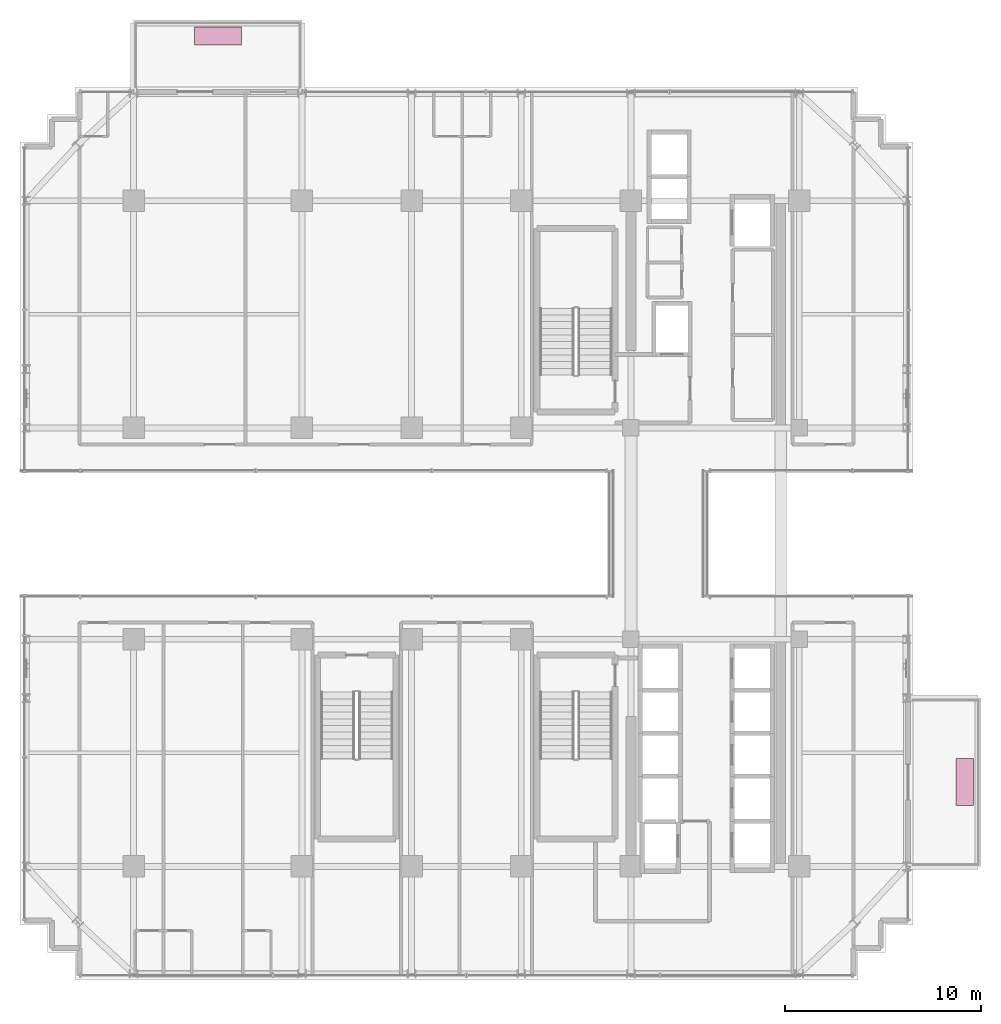
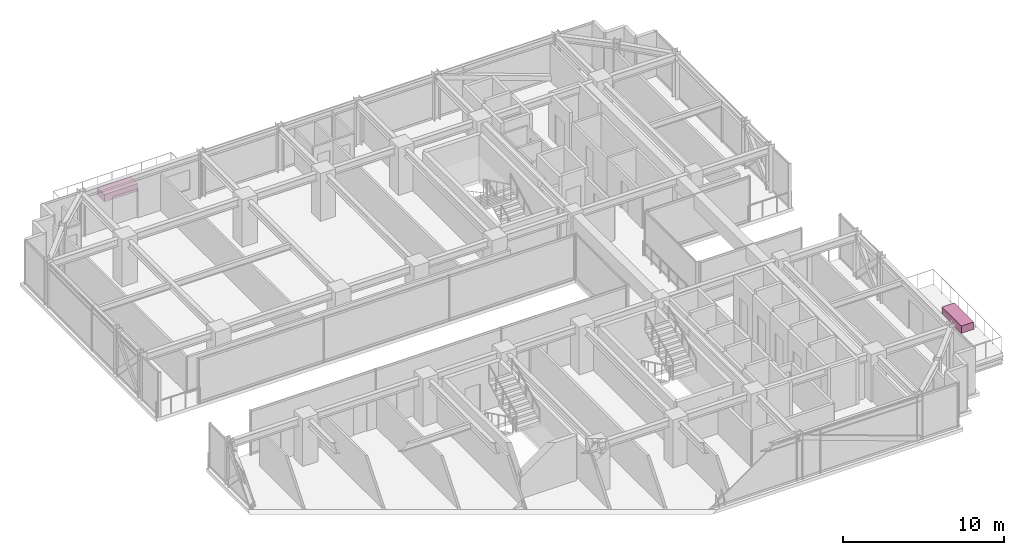
# One storey, part 36 of 36: 2 furnishings.
"""IFC4 building model written with IfcOpenShell, lengths in metres."""

import ifcopenshell
import ifcopenshell.guid

model = None  # the IFC model being written
_history = None  # IfcOwnerHistory: only IFC2X3 demands one
_inside = {}  # id of a spatial element -> (the spatial element, [elements in it])
_under = {}  # id of a project, library or spatial element -> (it, [spatial elements below it])
_declared = {}  # id of a project -> (the project, [libraries it declares])
_typed = {}  # id of a type object -> (the type object, [elements of that type])
_made_of = {}  # id of a material, layer set ... -> (it, [elements and type objects made of it])


def new_model(schema):
    """Start an empty IFC model of exactly this schema.

    Asked for "IFC4X3", IfcOpenShell would pick the latest addendum, in which some entities
    have other attributes; the version numbers below select the first issue.
    IFC2X3 requires an IfcOwnerHistory on every rooted entity: one is made here for all.
    """
    global model, _history
    if schema == "IFC4X3":
        model = ifcopenshell.file(schema_version=(4, 3, 0, 0))
    else:
        model = ifcopenshell.file(schema=schema)
    _inside.clear()
    _under.clear()
    _declared.clear()
    _typed.clear()
    _made_of.clear()
    _history = None
    if model.schema == "IFC2X3":
        org = make("IfcOrganization", Name="unknown")
        user = make(
            "IfcPersonAndOrganization",
            ThePerson=make("IfcPerson", FamilyName="unknown"),
            TheOrganization=org,
        )
        app = make(
            "IfcApplication",
            ApplicationDeveloper=org,
            Version="unknown",
            ApplicationFullName="unknown",
            ApplicationIdentifier="unknown",
        )
        _history = make(
            "IfcOwnerHistory",
            OwningUser=user,
            OwningApplication=app,
            ChangeAction="ADDED",
            CreationDate=0,
        )
    return model


def make(cls, **values):
    """One entity of the class cls with the attributes given. An attribute that is None is left unset."""
    return model.create_entity(
        cls, **{name: value for name, value in values.items() if value is not None}
    )


def rooted(cls, **values):
    """An entity with a GlobalId (a new one), such as an element, a storey or a relation."""
    return make(cls, GlobalId=ifcopenshell.guid.new(), OwnerHistory=_history, **values)


def si_unit(unit_type, name, prefix=None):
    """IfcSIUnit, for example si_unit("LENGTHUNIT", "METRE", prefix="MILLI")."""
    return make("IfcSIUnit", UnitType=unit_type, Prefix=prefix, Name=name)


def assignment(units):
    """IfcUnitAssignment: the units of a project."""
    return None if units is None else make("IfcUnitAssignment", Units=units)


def point(xyz):
    """IfcCartesianPoint."""
    return None if xyz is None else make("IfcCartesianPoint", Coordinates=xyz)


def direction(xyz):
    """IfcDirection."""
    return None if xyz is None else make("IfcDirection", DirectionRatios=xyz)


def frame(location, z_axis=None, x_axis=None):
    """IfcAxis2Placement3D, a coordinate frame: its origin and axes. An axis left out is left unset."""
    return make(
        "IfcAxis2Placement3D",
        Location=point(location),
        Axis=direction(z_axis),
        RefDirection=direction(x_axis),
    )


def frame_2d(location, x_axis=None):
    """IfcAxis2Placement2D, a coordinate frame in the plane: its origin and x axis."""
    return make(
        "IfcAxis2Placement2D", Location=point(location), RefDirection=direction(x_axis)
    )


def origin():
    """The frame at (0, 0, 0) with its axes left unset."""
    return frame((0.0, 0.0, 0.0))


def origin_2d():
    """The frame at (0, 0) in the plane with its x axis left unset."""
    return frame_2d((0.0, 0.0))


def place(relative_to, where):
    """IfcLocalPlacement: puts the frame where relative to a parent placement (None: the world)."""
    return make(
        "IfcLocalPlacement", PlacementRelTo=relative_to, RelativePlacement=where
    )


def context(
    kind, dimensions, precision=None, world=None, true_north=None, identifier=None
):
    """IfcGeometricRepresentationContext, for example the 3D "Model" context."""
    return make(
        "IfcGeometricRepresentationContext",
        ContextIdentifier=identifier,
        ContextType=kind,
        CoordinateSpaceDimension=dimensions,
        Precision=precision,
        WorldCoordinateSystem=world,
        TrueNorth=true_north,
    )


def subcontext(parent, identifier, kind, view, scale=None):
    """IfcGeometricRepresentationSubContext, for example "Body" below "Model"."""
    return make(
        "IfcGeometricRepresentationSubContext",
        ContextIdentifier=identifier,
        ContextType=kind,
        ParentContext=parent,
        TargetScale=scale,
        TargetView=view,
    )


def project(units=None, contexts=None):
    """IfcProject with its units and contexts."""
    return rooted(
        "IfcProject",
        Name="project",
        RepresentationContexts=contexts,
        UnitsInContext=assignment(units),
    )


def spatial(cls, under=None, at=None, **own):
    """A site, building, storey or space (cls), placed at a placement, below another one or the project."""
    s = rooted(cls, ObjectPlacement=at, **own)
    if under is not None:
        _under.setdefault(under.id(), (under, []))[1].append(s)
    return s


def profile(cls, at=None, kind="AREA", **sizes):
    """A parametric profile (cls). Its sizes go by their IFC names, for example OverallWidth=200.0."""
    return make(cls, ProfileType=kind, Position=at, **sizes)


def rectangle(**sizes):
    """IfcRectangleProfileDef."""
    return profile("IfcRectangleProfileDef", **sizes)


def extrude(swept, where, along, depth):
    """IfcExtrudedAreaSolid: the profile swept, set in the frame where, extruded along a direction by depth."""
    return make(
        "IfcExtrudedAreaSolid",
        SweptArea=swept,
        Position=where,
        ExtrudedDirection=direction(along),
        Depth=depth,
    )


def shape(context_of_items, identifier, shape_type, items):
    """IfcShapeRepresentation: the items that make up one representation, for example the "Body"."""
    return make(
        "IfcShapeRepresentation",
        ContextOfItems=context_of_items,
        RepresentationIdentifier=identifier,
        RepresentationType=shape_type,
        Items=items,
    )


def source(mapping_origin, context_of_items, identifier, shape_type, items):
    """IfcRepresentationMap: a shape defined once, which mapped items show again and again."""
    return make(
        "IfcRepresentationMap",
        MappingOrigin=mapping_origin,
        MappedRepresentation=shape(context_of_items, identifier, shape_type, items),
    )


def transform(
    local_origin,
    x_axis=None,
    y_axis=None,
    z_axis=None,
    scale=None,
    scale2=None,
    scale3=None,
    uniform=True,
):
    """IfcCartesianTransformationOperator3D, or its non-uniform kind. x_axis, y_axis, z_axis: its Axis1, 2, 3."""
    if uniform:
        return make(
            "IfcCartesianTransformationOperator3D",
            Axis1=direction(x_axis),
            Axis2=direction(y_axis),
            LocalOrigin=point(local_origin),
            Scale=scale,
            Axis3=direction(z_axis),
        )
    return make(
        "IfcCartesianTransformationOperator3DnonUniform",
        Axis1=direction(x_axis),
        Axis2=direction(y_axis),
        LocalOrigin=point(local_origin),
        Scale=scale,
        Axis3=direction(z_axis),
        Scale2=scale2,
        Scale3=scale3,
    )


def mapped(mapping_source, mapping_target):
    """IfcMappedItem: shows the shape of a source again, moved by a transform."""
    return make(
        "IfcMappedItem", MappingSource=mapping_source, MappingTarget=mapping_target
    )


def material(Name=None, Category=None):
    """IfcMaterial."""
    return make("IfcMaterial", Name=Name, Category=Category)


def made_of(thing, what):
    """Note that an element or type object is made of a material, layer set ...; save() writes the relation."""
    if what is not None:
        _made_of.setdefault(what.id(), (what, []))[1].append(thing)
    return thing


def type_object(cls, material=None, **own):
    """A type object (cls), such as IfcWallType, which elements share."""
    return made_of(rooted(cls, **own), material)


def element(
    cls,
    number,
    at=None,
    inside=None,
    cuts=None,
    type_object=None,
    material=None,
    context=None,
    identifier="Body",
    shape_type=None,
    held_by="IfcProductDefinitionShape",
    body=None,
    shapes=None,
    **own,
):
    """One element of the class cls, such as IfcWall. Its Tag is "e" and its number.

    at: its placement. inside: the storey or other place that contains it. cuts: it is an
    opening in that element (IfcRelVoidsElement). A single representation is given by context,
    identifier, shape_type and body (its items); several are given by shapes. held_by: the class
    of the entity that holds the representations. save() writes the other relations.
    """
    e = rooted(cls, Tag="e%d" % number, ObjectPlacement=at, **own)
    if body is not None:
        shapes = [shape(context, identifier, shape_type, body)]
    if shapes is not None:
        e.Representation = make(held_by, Representations=shapes)
    if inside is not None:
        _inside.setdefault(inside.id(), (inside, []))[1].append(e)
    if cuts is not None:
        rooted(
            "IfcRelVoidsElement", RelatingBuildingElement=cuts, RelatedOpeningElement=e
        )
    if type_object is not None:
        _typed.setdefault(type_object.id(), (type_object, []))[1].append(e)
    return made_of(e, material)


def aggregate(whole, parts):
    """IfcRelAggregates: a whole, such as a stair, and the parts it consists of."""
    return rooted("IfcRelAggregates", RelatingObject=whole, RelatedObjects=parts)


def save(model, path):
    """Write the relations noted so far, then the file.

    IfcRelAggregates (storeys below a building ...), IfcRelContainedInSpatialStructure (elements
    in a storey), IfcRelDefinesByType, IfcRelAssociatesMaterial and IfcRelDeclares: one each for
    every whole, place, type object, material and project.
    """
    for whole, parts in _under.values():
        aggregate(whole, parts)
    for where, things in _inside.values():
        rooted(
            "IfcRelContainedInSpatialStructure",
            RelatedElements=things,
            RelatingStructure=where,
        )
    for kind, things in _typed.values():
        rooted("IfcRelDefinesByType", RelatedObjects=things, RelatingType=kind)
    for what, things in _made_of.values():
        rooted("IfcRelAssociatesMaterial", RelatedObjects=things, RelatingMaterial=what)
    for by, libraries in _declared.values():
        rooted("IfcRelDeclares", RelatingContext=by, RelatedDefinitions=libraries)
    model.write(path)


model = new_model("IFC4")

# Units and contexts
model_context = context("Model", 3, precision=1e-05, world=origin(), true_north=direction((0.0, 1.0)))
body_context = subcontext(model_context, "Body", "Model", "MODEL_VIEW")
ifc_project = project(units=[si_unit("LENGTHUNIT", "METRE"), si_unit("AREAUNIT", "SQUARE_METRE"), si_unit("VOLUMEUNIT", "CUBIC_METRE"), si_unit("PLANEANGLEUNIT", "RADIAN"), si_unit("MASSUNIT", "GRAM", prefix="KILO")], contexts=[model_context])

# Site, building, storey
site_placement = place(None, origin())
site = spatial("IfcSite", under=ifc_project, at=site_placement, CompositionType="ELEMENT")
building_placement = place(site_placement, origin())
building = spatial("IfcBuilding", under=site, at=building_placement, Name="Nahalor Promenade Grand Hotel", CompositionType="ELEMENT")
storey_placement = place(building_placement, frame((0.0, 0.0, 174.550048828125)))
storey = spatial("IfcBuildingStorey", under=building, at=storey_placement, Name="L44", CompositionType="ELEMENT", Elevation=174.550048828125)

# Furnishings
ifc_material = material(Name="Vegetated Volcanic-Lapilli Tree Planter", Category="earth")
furnishing_element_type = type_object("IfcFurnishingElementType", Name="Planter-VerticalForest-Box", material=ifc_material)
shared_shape = source(origin(), body_context, "Body", "SweptSolid", [
    extrude(rectangle(XDim=2.39990234375, YDim=0.89990234375, at=origin_2d()), origin(), (0.0, 0.0, 1.0), 0.550048828125),
])
for number, where, z_axis, x_axis, name in (
    (1, (-12.699951171875, 25.409912109375, 0.0), (0.0, 0.0, 1.0), (1.0, 0.0, 0.0), "L44 Balcony Structural Tree Planter 1"),
    (2, (25.4599609375, -12.699951171875, 0.0), (0.0, 0.0, 1.0), (0.0, 1.0, 0.0), "L44 Balcony Structural Tree Planter 2"),
):
    element("IfcFurnishingElement", number, at=place(storey_placement, frame(where, z_axis=z_axis, x_axis=x_axis)), inside=storey, type_object=furnishing_element_type, Name=name, ObjectType="PLANTER", context=body_context, shape_type="MappedRepresentation", body=[
        mapped(shared_shape, transform((0.0, 0.0, 0.0), scale=1.0)),
    ])

save(model, "model.ifc")
